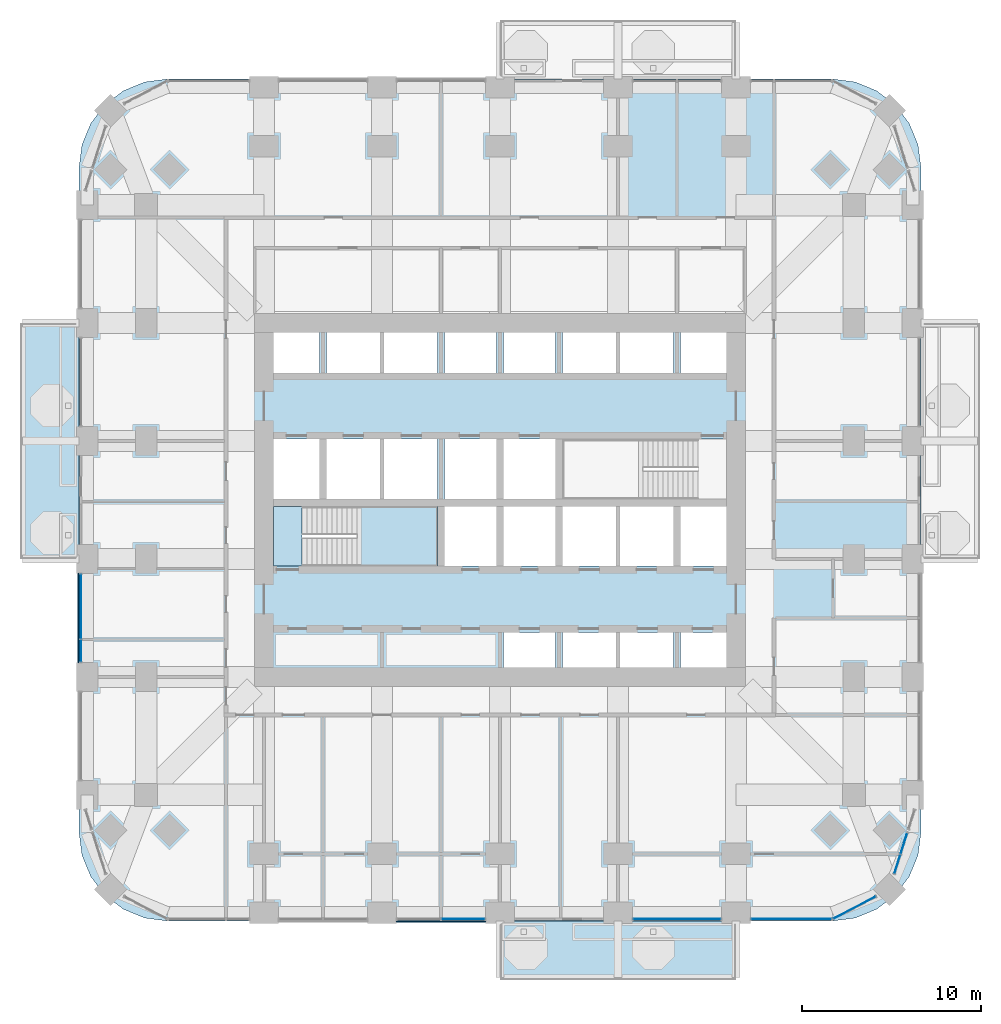
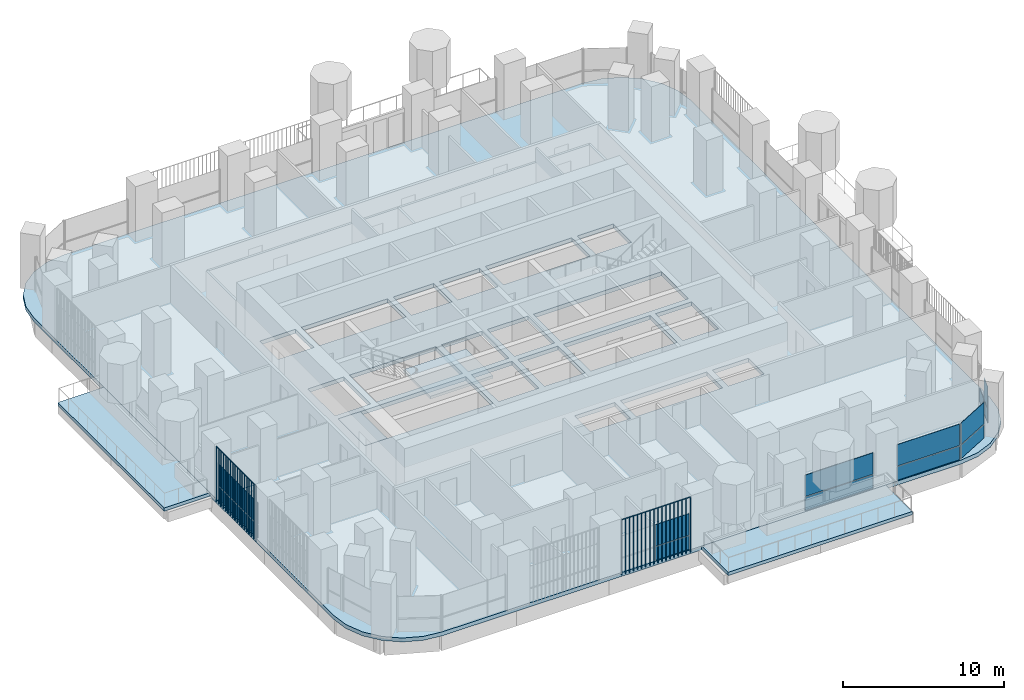
# One storey, part 10 of 22: 17 plates, 5 slabs, 7 elements without a shape of their own.
"""IFC4 building model written with IfcOpenShell, lengths in metres."""

import ifcopenshell
import ifcopenshell.guid

model = None  # the IFC model being written
_history = None  # IfcOwnerHistory: only IFC2X3 demands one
_inside = {}  # id of a spatial element -> (the spatial element, [elements in it])
_under = {}  # id of a project, library or spatial element -> (it, [spatial elements below it])
_declared = {}  # id of a project -> (the project, [libraries it declares])
_typed = {}  # id of a type object -> (the type object, [elements of that type])
_made_of = {}  # id of a material, layer set ... -> (it, [elements and type objects made of it])


def new_model(schema):
    """Start an empty IFC model of exactly this schema.

    Asked for "IFC4X3", IfcOpenShell would pick the latest addendum, in which some entities
    have other attributes; the version numbers below select the first issue.
    IFC2X3 requires an IfcOwnerHistory on every rooted entity: one is made here for all.
    """
    global model, _history
    if schema == "IFC4X3":
        model = ifcopenshell.file(schema_version=(4, 3, 0, 0))
    else:
        model = ifcopenshell.file(schema=schema)
    _inside.clear()
    _under.clear()
    _declared.clear()
    _typed.clear()
    _made_of.clear()
    _history = None
    if model.schema == "IFC2X3":
        org = make("IfcOrganization", Name="unknown")
        user = make(
            "IfcPersonAndOrganization",
            ThePerson=make("IfcPerson", FamilyName="unknown"),
            TheOrganization=org,
        )
        app = make(
            "IfcApplication",
            ApplicationDeveloper=org,
            Version="unknown",
            ApplicationFullName="unknown",
            ApplicationIdentifier="unknown",
        )
        _history = make(
            "IfcOwnerHistory",
            OwningUser=user,
            OwningApplication=app,
            ChangeAction="ADDED",
            CreationDate=0,
        )
    return model


def make(cls, **values):
    """One entity of the class cls with the attributes given. An attribute that is None is left unset."""
    return model.create_entity(
        cls, **{name: value for name, value in values.items() if value is not None}
    )


def rooted(cls, **values):
    """An entity with a GlobalId (a new one), such as an element, a storey or a relation."""
    return make(cls, GlobalId=ifcopenshell.guid.new(), OwnerHistory=_history, **values)


def si_unit(unit_type, name, prefix=None):
    """IfcSIUnit, for example si_unit("LENGTHUNIT", "METRE", prefix="MILLI")."""
    return make("IfcSIUnit", UnitType=unit_type, Prefix=prefix, Name=name)


def assignment(units):
    """IfcUnitAssignment: the units of a project."""
    return None if units is None else make("IfcUnitAssignment", Units=units)


def point(xyz):
    """IfcCartesianPoint."""
    return None if xyz is None else make("IfcCartesianPoint", Coordinates=xyz)


def direction(xyz):
    """IfcDirection."""
    return None if xyz is None else make("IfcDirection", DirectionRatios=xyz)


def frame(location, z_axis=None, x_axis=None):
    """IfcAxis2Placement3D, a coordinate frame: its origin and axes. An axis left out is left unset."""
    return make(
        "IfcAxis2Placement3D",
        Location=point(location),
        Axis=direction(z_axis),
        RefDirection=direction(x_axis),
    )


def frame_2d(location, x_axis=None):
    """IfcAxis2Placement2D, a coordinate frame in the plane: its origin and x axis."""
    return make(
        "IfcAxis2Placement2D", Location=point(location), RefDirection=direction(x_axis)
    )


def origin():
    """The frame at (0, 0, 0) with its axes left unset."""
    return frame((0.0, 0.0, 0.0))


def origin_2d():
    """The frame at (0, 0) in the plane with its x axis left unset."""
    return frame_2d((0.0, 0.0))


def place(relative_to, where):
    """IfcLocalPlacement: puts the frame where relative to a parent placement (None: the world)."""
    return make(
        "IfcLocalPlacement", PlacementRelTo=relative_to, RelativePlacement=where
    )


def context(
    kind, dimensions, precision=None, world=None, true_north=None, identifier=None
):
    """IfcGeometricRepresentationContext, for example the 3D "Model" context."""
    return make(
        "IfcGeometricRepresentationContext",
        ContextIdentifier=identifier,
        ContextType=kind,
        CoordinateSpaceDimension=dimensions,
        Precision=precision,
        WorldCoordinateSystem=world,
        TrueNorth=true_north,
    )


def subcontext(parent, identifier, kind, view, scale=None):
    """IfcGeometricRepresentationSubContext, for example "Body" below "Model"."""
    return make(
        "IfcGeometricRepresentationSubContext",
        ContextIdentifier=identifier,
        ContextType=kind,
        ParentContext=parent,
        TargetScale=scale,
        TargetView=view,
    )


def project(units=None, contexts=None):
    """IfcProject with its units and contexts."""
    return rooted(
        "IfcProject",
        Name="project",
        RepresentationContexts=contexts,
        UnitsInContext=assignment(units),
    )


def spatial(cls, under=None, at=None, **own):
    """A site, building, storey or space (cls), placed at a placement, below another one or the project."""
    s = rooted(cls, ObjectPlacement=at, **own)
    if under is not None:
        _under.setdefault(under.id(), (under, []))[1].append(s)
    return s


def polyline(points):
    """IfcPolyline through the points."""
    return make("IfcPolyline", Points=[point(p) for p in points])


def profile(cls, at=None, kind="AREA", **sizes):
    """A parametric profile (cls). Its sizes go by their IFC names, for example OverallWidth=200.0."""
    return make(cls, ProfileType=kind, Position=at, **sizes)


def rectangle(**sizes):
    """IfcRectangleProfileDef."""
    return profile("IfcRectangleProfileDef", **sizes)


def outline(outer, holes=None, kind="AREA"):
    """IfcArbitraryClosedProfileDef: a profile drawn as a closed curve; with holes, ...WithVoids."""
    if holes is None:
        return make("IfcArbitraryClosedProfileDef", ProfileType=kind, OuterCurve=outer)
    return make(
        "IfcArbitraryProfileDefWithVoids",
        ProfileType=kind,
        OuterCurve=outer,
        InnerCurves=holes,
    )


def extrude(swept, where, along, depth):
    """IfcExtrudedAreaSolid: the profile swept, set in the frame where, extruded along a direction by depth."""
    return make(
        "IfcExtrudedAreaSolid",
        SweptArea=swept,
        Position=where,
        ExtrudedDirection=direction(along),
        Depth=depth,
    )


def shape(context_of_items, identifier, shape_type, items):
    """IfcShapeRepresentation: the items that make up one representation, for example the "Body"."""
    return make(
        "IfcShapeRepresentation",
        ContextOfItems=context_of_items,
        RepresentationIdentifier=identifier,
        RepresentationType=shape_type,
        Items=items,
    )


def material(Name=None, Category=None):
    """IfcMaterial."""
    return make("IfcMaterial", Name=Name, Category=Category)


def layer(
    of_material, thickness, ventilated=None, Name=None, Category=None, Priority=None
):
    """IfcMaterialLayer: one layer of a wall or slab, of a material (None: an air gap)."""
    return make(
        "IfcMaterialLayer",
        Material=of_material,
        LayerThickness=thickness,
        IsVentilated=ventilated,
        Name=Name,
        Category=Category,
        Priority=Priority,
    )


def layer_set(layers, Name=None):
    """IfcMaterialLayerSet."""
    return make("IfcMaterialLayerSet", MaterialLayers=layers, LayerSetName=Name)


def made_of(thing, what):
    """Note that an element or type object is made of a material, layer set ...; save() writes the relation."""
    if what is not None:
        _made_of.setdefault(what.id(), (what, []))[1].append(thing)
    return thing


def type_object(cls, material=None, **own):
    """A type object (cls), such as IfcWallType, which elements share."""
    return made_of(rooted(cls, **own), material)


def element(
    cls,
    number,
    at=None,
    inside=None,
    cuts=None,
    type_object=None,
    material=None,
    context=None,
    identifier="Body",
    shape_type=None,
    held_by="IfcProductDefinitionShape",
    body=None,
    shapes=None,
    **own,
):
    """One element of the class cls, such as IfcWall. Its Tag is "e" and its number.

    at: its placement. inside: the storey or other place that contains it. cuts: it is an
    opening in that element (IfcRelVoidsElement). A single representation is given by context,
    identifier, shape_type and body (its items); several are given by shapes. held_by: the class
    of the entity that holds the representations. save() writes the other relations.
    """
    e = rooted(cls, Tag="e%d" % number, ObjectPlacement=at, **own)
    if body is not None:
        shapes = [shape(context, identifier, shape_type, body)]
    if shapes is not None:
        e.Representation = make(held_by, Representations=shapes)
    if inside is not None:
        _inside.setdefault(inside.id(), (inside, []))[1].append(e)
    if cuts is not None:
        rooted(
            "IfcRelVoidsElement", RelatingBuildingElement=cuts, RelatedOpeningElement=e
        )
    if type_object is not None:
        _typed.setdefault(type_object.id(), (type_object, []))[1].append(e)
    return made_of(e, material)


def aggregate(whole, parts):
    """IfcRelAggregates: a whole, such as a stair, and the parts it consists of."""
    return rooted("IfcRelAggregates", RelatingObject=whole, RelatedObjects=parts)


def save(model, path):
    """Write the relations noted so far, then the file.

    IfcRelAggregates (storeys below a building ...), IfcRelContainedInSpatialStructure (elements
    in a storey), IfcRelDefinesByType, IfcRelAssociatesMaterial and IfcRelDeclares: one each for
    every whole, place, type object, material and project.
    """
    for whole, parts in _under.values():
        aggregate(whole, parts)
    for where, things in _inside.values():
        rooted(
            "IfcRelContainedInSpatialStructure",
            RelatedElements=things,
            RelatingStructure=where,
        )
    for kind, things in _typed.values():
        rooted("IfcRelDefinesByType", RelatedObjects=things, RelatingType=kind)
    for what, things in _made_of.values():
        rooted("IfcRelAssociatesMaterial", RelatedObjects=things, RelatingMaterial=what)
    for by, libraries in _declared.values():
        rooted("IfcRelDeclares", RelatingContext=by, RelatedDefinitions=libraries)
    model.write(path)


model = new_model("IFC4")

# Units and contexts
model_context = context("Model", 3, precision=1e-05, world=origin(), true_north=direction((0.0, 1.0)))
body_context = subcontext(model_context, "Body", "Model", "MODEL_VIEW")
ifc_project = project(units=[si_unit("LENGTHUNIT", "METRE"), si_unit("AREAUNIT", "SQUARE_METRE"), si_unit("VOLUMEUNIT", "CUBIC_METRE"), si_unit("PLANEANGLEUNIT", "RADIAN"), si_unit("MASSUNIT", "GRAM", prefix="KILO")], contexts=[model_context])

# Site, building, storey
site_placement = place(None, origin())
site = spatial("IfcSite", under=ifc_project, at=site_placement, CompositionType="ELEMENT")
building_placement = place(site_placement, origin())
building = spatial("IfcBuilding", under=site, at=building_placement, Name="Cobogo Forest Laboratory Tower", CompositionType="ELEMENT")
storey_placement = place(building_placement, frame((0.0, 0.0, 94.800048828125)))
storey = spatial("IfcBuildingStorey", under=building, at=storey_placement, Name="L21", CompositionType="ELEMENT", Elevation=94.800048828125)

# Slabs
ifc_material_1 = material(Name="Concrete HA-40 (C40/50)", Category="concrete")
ifc_layer_1 = layer(ifc_material_1, 0.25)
ifc_layer_set_1 = layer_set([ifc_layer_1], Name="Balcony slab 250")
slab_type_1 = type_object("IfcSlabType", Name="Balcony slab 250", PredefinedType="FLOOR", material=ifc_layer_set_1)
slab_1_placement = place(storey_placement, frame((0.0, 0.0, -0.25)))
element("IfcSlab", 1, at=slab_1_placement, inside=storey, type_object=slab_type_1, Name="Balcony BAL-S1 L21", PredefinedType="FLOOR", context=body_context, shape_type="SweptSolid", body=[
    extrude(outline(polyline([(26.39990234375, -3.75), (39.60009765625, -3.75), (39.60009765625, -0.449951171875), (26.39990234375, -0.449951171875), (26.39990234375, -3.75)])), origin(), (0.0, 0.0, 1.0), 0.25),
])
slab_2_placement = place(storey_placement, frame((0.0, 0.0, -0.25)))
element("IfcSlab", 2, at=slab_2_placement, inside=storey, type_object=slab_type_1, Name="Balcony BAL-W1 L21", PredefinedType="FLOOR", context=body_context, shape_type="SweptSolid", body=[
    extrude(outline(polyline([(-0.449951171875, 19.800048828125), (2.85009765625, 19.800048828125), (2.85009765625, 33.0), (-0.449951171875, 33.0), (-0.449951171875, 19.800048828125)])), origin(), (0.0, 0.0, 1.0), 0.25),
])
ifc_layer_2 = layer(ifc_material_1, 0.300048828125)
ifc_layer_set_2 = layer_set([ifc_layer_2], Name="Floor slab 300")
slab_type_2 = type_object("IfcSlabType", Name="Floor slab 300", PredefinedType="FLOOR", material=ifc_layer_set_2)
slab_3_placement = place(storey_placement, frame((0.0, 0.0, -0.300048828125)))
element("IfcSlab", 3, at=slab_3_placement, inside=storey, type_object=slab_type_2, Name="L21 floor slab", PredefinedType="FLOOR", context=body_context, shape_type="SweptSolid", body=[
    extrude(outline(polyline([(45.0, -0.449951171875), (46.28125, -0.28125), (47.47509765625, 0.213134765625), (48.500244140625, 0.999755859375), (49.286865234375, 2.02490234375), (49.78125, 3.21875), (49.949951171875, 4.5), (49.949951171875, 41.699951171875), (49.78125, 42.981201171875), (49.286865234375, 44.175048828125), (48.500244140625, 45.2001953125), (47.47509765625, 45.98681640625), (46.28125, 46.4814453125), (45.0, 46.64990234375), (7.800048828125, 46.64990234375), (6.518798828125, 46.4814453125), (5.324951171875, 45.98681640625), (4.2998046875, 45.2001953125), (3.51318359375, 44.175048828125), (3.0185546875, 42.981201171875), (2.85009765625, 41.699951171875), (2.85009765625, 4.5), (3.0185546875, 3.21875), (3.51318359375, 2.02490234375), (4.2998046875, 0.999755859375), (5.324951171875, 0.213134765625), (6.518798828125, -0.28125), (7.800048828125, -0.449951171875), (45.0, -0.449951171875)]), holes=[polyline([(29.5, 13.72509765625), (26.60009765625, 13.72509765625), (26.60009765625, 15.699951171875), (29.5, 15.699951171875), (29.5, 13.72509765625)]), polyline([(36.10009765625, 15.699951171875), (36.10009765625, 13.72509765625), (29.89990234375, 13.72509765625), (29.89990234375, 15.699951171875), (36.10009765625, 15.699951171875)]), polyline([(36.5, 13.72509765625), (36.5, 15.699951171875), (39.074951171875, 15.699951171875), (39.074951171875, 13.72509765625), (36.5, 13.72509765625)]), polyline([(13.72509765625, 19.39990234375), (13.72509765625, 22.75), (22.89990234375, 22.75), (22.89990234375, 19.39990234375), (13.72509765625, 19.39990234375)]), polyline([(23.300048828125, 19.39990234375), (23.300048828125, 22.75), (26.199951171875, 22.75), (26.199951171875, 19.39990234375), (23.300048828125, 19.39990234375)]), polyline([(29.5, 19.39990234375), (26.60009765625, 19.39990234375), (26.60009765625, 22.75), (29.5, 22.75), (29.5, 19.39990234375)]), polyline([(36.10009765625, 22.75), (36.10009765625, 19.39990234375), (29.89990234375, 19.39990234375), (29.89990234375, 22.75), (36.10009765625, 22.75)]), polyline([(39.074951171875, 19.39990234375), (36.5, 19.39990234375), (36.5, 22.75), (39.074951171875, 22.75), (39.074951171875, 19.39990234375)]), polyline([(16.300048828125, 23.14990234375), (13.72509765625, 23.14990234375), (13.72509765625, 26.5), (16.300048828125, 26.5), (16.300048828125, 23.14990234375)]), polyline([(22.89990234375, 26.5), (22.89990234375, 23.14990234375), (16.699951171875, 23.14990234375), (16.699951171875, 26.5), (22.89990234375, 26.5)]), polyline([(26.199951171875, 23.14990234375), (23.300048828125, 23.14990234375), (23.300048828125, 26.5), (26.199951171875, 26.5), (26.199951171875, 23.14990234375)]), polyline([(26.60009765625, 23.14990234375), (26.60009765625, 26.5), (29.5, 26.5), (29.5, 23.14990234375), (26.60009765625, 23.14990234375)]), polyline([(29.89990234375, 23.14990234375), (29.89990234375, 26.5), (39.074951171875, 26.5), (39.074951171875, 23.14990234375), (29.89990234375, 23.14990234375)]), polyline([(13.72509765625, 30.199951171875), (13.72509765625, 32.47509765625), (16.300048828125, 32.47509765625), (16.300048828125, 30.199951171875), (13.72509765625, 30.199951171875)]), polyline([(22.89990234375, 32.47509765625), (22.89990234375, 30.199951171875), (16.699951171875, 30.199951171875), (16.699951171875, 32.47509765625), (22.89990234375, 32.47509765625)]), polyline([(23.300048828125, 30.199951171875), (23.300048828125, 32.47509765625), (26.199951171875, 32.47509765625), (26.199951171875, 30.199951171875), (23.300048828125, 30.199951171875)]), polyline([(26.60009765625, 30.199951171875), (26.60009765625, 32.47509765625), (29.5, 32.47509765625), (29.5, 30.199951171875), (26.60009765625, 30.199951171875)]), polyline([(36.10009765625, 32.47509765625), (36.10009765625, 30.199951171875), (29.89990234375, 30.199951171875), (29.89990234375, 32.47509765625), (36.10009765625, 32.47509765625)]), polyline([(36.5, 30.199951171875), (36.5, 32.47509765625), (39.074951171875, 32.47509765625), (39.074951171875, 30.199951171875), (36.5, 30.199951171875)])]), origin(), (0.0, 0.0, 1.0), 0.300048828125),
])

# Curtain wall, plates
ifc_material_2 = material(Name="Aluminium curtain wall", Category="aluminium")
curtain_wall_type = type_object("IfcCurtainWallType", Name="CW-1 unitised curtain wall, clear glazing, laboratory floors zones A and B", PredefinedType="USERDEFINED", material=ifc_material_2)
curtain_wall_1_placement = place(storey_placement, origin())
curtain_wall_1 = element("IfcCurtainWall", 4, at=curtain_wall_1_placement, inside=storey, type_object=curtain_wall_type, Name="Curtain wall 03 L21", ObjectType="UNITISED CURTAIN WALL", PredefinedType="USERDEFINED")
ifc_material_3 = material(Name="Clear insulated glass", Category="glass")
ifc_layer_3 = layer(ifc_material_3, 0.028076171875)
ifc_layer_set_3 = layer_set([ifc_layer_3], Name="GP-1 clear insulated glass unit 28")
plate_type_1 = type_object("IfcPlateType", Name="GP-1 clear insulated glass unit 28", PredefinedType="CURTAIN_PANEL", material=ifc_layer_set_3)
plate_1_placement = place(storey_placement, frame((24.3349609375, -0.35009765625, 0.0), z_axis=(0.0, 0.0, 1.0), x_axis=(1.0, 0.0, 0.0)))
plate_1 = element("IfcPlate", 5, at=plate_1_placement, type_object=plate_type_1, Name="CW-1 panel 2.1", PredefinedType="CURTAIN_PANEL", context=body_context, shape_type="SweptSolid", body=[
    extrude(rectangle(XDim=2.409912109375, YDim=0.028076171875, at=origin_2d()), origin(), (0.0, 0.0, 1.0), 1.02001953125),
])
plate_2_placement = place(storey_placement, frame((24.3349609375, -0.35009765625, 1.079833984375), z_axis=(0.0, 0.0, 1.0), x_axis=(1.0, 0.0, 0.0)))
plate_2 = element("IfcPlate", 6, at=plate_2_placement, type_object=plate_type_1, Name="CW-1 panel 2.2", PredefinedType="CURTAIN_PANEL", context=body_context, shape_type="SweptSolid", body=[
    extrude(rectangle(XDim=2.409912109375, YDim=0.028076171875, at=origin_2d()), origin(), (0.0, 0.0, 1.0), 1.6201171875),
])
aggregate(curtain_wall_1, [plate_1, plate_2])

curtain_wall_2_placement = place(storey_placement, origin())
curtain_wall_2 = element("IfcCurtainWall", 7, at=curtain_wall_2_placement, inside=storey, type_object=curtain_wall_type, Name="Curtain wall 05 L21", ObjectType="UNITISED CURTAIN WALL", PredefinedType="USERDEFINED")
plate_3_placement = place(storey_placement, frame((36.300048828125, -0.35009765625, 0.0), z_axis=(0.0, 0.0, 1.0), x_axis=(1.0, 0.0, 0.0)))
plate_3 = element("IfcPlate", 8, at=plate_3_placement, type_object=plate_type_1, Name="CW-1 panel 1.1", PredefinedType="CURTAIN_PANEL", context=body_context, shape_type="SweptSolid", body=[
    extrude(rectangle(XDim=4.8798828125, YDim=0.028076171875, at=origin_2d()), origin(), (0.0, 0.0, 1.0), 1.02001953125),
])
plate_4_placement = place(storey_placement, frame((36.300048828125, -0.35009765625, 1.079833984375), z_axis=(0.0, 0.0, 1.0), x_axis=(1.0, 0.0, 0.0)))
plate_4 = element("IfcPlate", 9, at=plate_4_placement, type_object=plate_type_1, Name="CW-1 panel 1.2", PredefinedType="CURTAIN_PANEL", context=body_context, shape_type="SweptSolid", body=[
    extrude(rectangle(XDim=4.8798828125, YDim=0.028076171875, at=origin_2d()), origin(), (0.0, 0.0, 1.0), 1.6201171875),
])
aggregate(curtain_wall_2, [plate_3, plate_4])

curtain_wall_3_placement = place(storey_placement, origin())
curtain_wall_3 = element("IfcCurtainWall", 10, at=curtain_wall_3_placement, inside=storey, type_object=curtain_wall_type, Name="Curtain wall 06 L21", ObjectType="UNITISED CURTAIN WALL", PredefinedType="USERDEFINED")
plate_5_placement = place(storey_placement, frame((42.699951171875, -0.35009765625, 0.0), z_axis=(0.0, 0.0, 1.0), x_axis=(1.0, 0.0, 0.0)))
plate_5 = element("IfcPlate", 11, at=plate_5_placement, type_object=plate_type_1, Name="CW-1 panel 1.1", PredefinedType="CURTAIN_PANEL", context=body_context, shape_type="SweptSolid", body=[
    extrude(rectangle(XDim=4.47998046875, YDim=0.028076171875, at=origin_2d()), origin(), (0.0, 0.0, 1.0), 1.02001953125),
])
plate_6_placement = place(storey_placement, frame((42.699951171875, -0.35009765625, 1.079833984375), z_axis=(0.0, 0.0, 1.0), x_axis=(1.0, 0.0, 0.0)))
plate_6 = element("IfcPlate", 12, at=plate_6_placement, type_object=plate_type_1, Name="CW-1 panel 1.2", PredefinedType="CURTAIN_PANEL", context=body_context, shape_type="SweptSolid", body=[
    extrude(rectangle(XDim=4.47998046875, YDim=0.028076171875, at=origin_2d()), origin(), (0.0, 0.0, 1.0), 1.6201171875),
])
aggregate(curtain_wall_3, [plate_5, plate_6])

curtain_wall_4_placement = place(storey_placement, origin())
curtain_wall_4 = element("IfcCurtainWall", 13, at=curtain_wall_4_placement, inside=storey, type_object=curtain_wall_type, Name="Curtain wall 07 L21", ObjectType="UNITISED CURTAIN WALL", PredefinedType="USERDEFINED")
plate_7_placement = place(storey_placement, frame((46.229248046875, 0.29443359375, 0.0), z_axis=(0.0, 0.0, 1.0), x_axis=(0.885686547075, 0.464283685186, 0.0)))
plate_7 = element("IfcPlate", 14, at=plate_7_placement, type_object=plate_type_1, Name="CW-1 panel 1.1", PredefinedType="CURTAIN_PANEL", context=body_context, shape_type="SweptSolid", body=[
    extrude(rectangle(XDim=2.655517578125, YDim=0.028076171875, at=origin_2d()), origin(), (0.0, 0.0, 1.0), 1.02001953125),
])
plate_8_placement = place(storey_placement, frame((46.229248046875, 0.29443359375, 1.079833984375), z_axis=(0.0, 0.0, 1.0), x_axis=(0.885686547075, 0.464283685186, 0.0)))
plate_8 = element("IfcPlate", 15, at=plate_8_placement, type_object=plate_type_1, Name="CW-1 panel 1.2", PredefinedType="CURTAIN_PANEL", context=body_context, shape_type="SweptSolid", body=[
    extrude(rectangle(XDim=2.655517578125, YDim=0.028076171875, at=origin_2d()), origin(), (0.0, 0.0, 1.0), 1.6201171875),
])
aggregate(curtain_wall_4, [plate_7, plate_8])

curtain_wall_5_placement = place(storey_placement, origin())
curtain_wall_5 = element("IfcCurtainWall", 16, at=curtain_wall_5_placement, inside=storey, type_object=curtain_wall_type, Name="Curtain wall 08 L21", ObjectType="UNITISED CURTAIN WALL", PredefinedType="USERDEFINED")
plate_9_placement = place(storey_placement, frame((48.6279296875, 2.73046875, 0.0), z_axis=(0.0, 0.0, 1.0), x_axis=(0.301135291996, 0.953581425949, 0.0)))
plate_9 = element("IfcPlate", 17, at=plate_9_placement, type_object=plate_type_1, Name="CW-1 panel 1.1", PredefinedType="CURTAIN_PANEL", context=body_context, shape_type="SweptSolid", body=[
    extrude(rectangle(XDim=1.083984375, YDim=0.028076171875, at=origin_2d()), origin(), (0.0, 0.0, 1.0), 1.02001953125),
])
plate_10_placement = place(storey_placement, frame((48.6279296875, 2.73046875, 1.079833984375), z_axis=(0.0, 0.0, 1.0), x_axis=(0.301135291996, 0.953581425949, 0.0)))
plate_10 = element("IfcPlate", 18, at=plate_10_placement, type_object=plate_type_1, Name="CW-1 panel 1.2", PredefinedType="CURTAIN_PANEL", context=body_context, shape_type="SweptSolid", body=[
    extrude(rectangle(XDim=1.083984375, YDim=0.028076171875, at=origin_2d()), origin(), (0.0, 0.0, 1.0), 1.6201171875),
])
plate_11_placement = place(storey_placement, frame((48.99365234375, 3.88818359375, 0.0), z_axis=(0.0, 0.0, 1.0), x_axis=(0.301135291996, 0.953581425949, 0.0)))
plate_11 = element("IfcPlate", 19, at=plate_11_placement, type_object=plate_type_1, Name="CW-1 panel 2.1", PredefinedType="CURTAIN_PANEL", context=body_context, shape_type="SweptSolid", body=[
    extrude(rectangle(XDim=1.223876953125, YDim=0.028076171875, at=origin_2d()), origin(), (0.0, 0.0, 1.0), 1.02001953125),
])
aggregate(curtain_wall_5, [plate_9, plate_10, plate_11])

curtain_wall_6_placement = place(storey_placement, origin())
curtain_wall_6 = element("IfcCurtainWall", 20, at=curtain_wall_6_placement, inside=storey, type_object=curtain_wall_type, Name="Curtain wall 30 L21", ObjectType="UNITISED CURTAIN WALL", PredefinedType="USERDEFINED")
plate_12_placement = place(storey_placement, frame((2.949951171875, 17.135009765625, 0.0), z_axis=(0.0, 0.0, 1.0), x_axis=(0.0, -1.0, 0.0)))
plate_12 = element("IfcPlate", 21, at=plate_12_placement, type_object=plate_type_1, Name="CW-1 panel 1.1", PredefinedType="CURTAIN_PANEL", context=body_context, shape_type="SweptSolid", body=[
    extrude(rectangle(XDim=3.610107421875, YDim=0.028076171875, at=origin_2d()), origin(), (0.0, 0.0, 1.0), 1.02001953125),
])
plate_13_placement = place(storey_placement, frame((2.949951171875, 17.135009765625, 1.079833984375), z_axis=(0.0, 0.0, 1.0), x_axis=(0.0, -1.0, 0.0)))
plate_13 = element("IfcPlate", 22, at=plate_13_placement, type_object=plate_type_1, Name="CW-1 panel 1.2", PredefinedType="CURTAIN_PANEL", context=body_context, shape_type="SweptSolid", body=[
    extrude(rectangle(XDim=3.610107421875, YDim=0.028076171875, at=origin_2d()), origin(), (0.0, 0.0, 1.0), 1.6201171875),
])
plate_14_placement = place(storey_placement, frame((2.949951171875, 14.6650390625, 0.0), z_axis=(0.0, 0.0, 1.0), x_axis=(0.0, -1.0, 0.0)))
plate_14 = element("IfcPlate", 23, at=plate_14_placement, type_object=plate_type_1, Name="CW-1 panel 2.1", PredefinedType="CURTAIN_PANEL", context=body_context, shape_type="SweptSolid", body=[
    extrude(rectangle(XDim=1.2099609375, YDim=0.028076171875, at=origin_2d()), origin(), (0.0, 0.0, 1.0), 1.02001953125),
])
plate_15_placement = place(storey_placement, frame((2.949951171875, 14.6650390625, 1.079833984375), z_axis=(0.0, 0.0, 1.0), x_axis=(0.0, -1.0, 0.0)))
plate_15 = element("IfcPlate", 24, at=plate_15_placement, type_object=plate_type_1, Name="CW-1 panel 2.2", PredefinedType="CURTAIN_PANEL", context=body_context, shape_type="SweptSolid", body=[
    extrude(rectangle(XDim=1.2099609375, YDim=0.028076171875, at=origin_2d()), origin(), (0.0, 0.0, 1.0), 1.6201171875),
])
aggregate(curtain_wall_6, [plate_12, plate_13, plate_14, plate_15])

# Stair, slabs
ifc_material_4 = material(Name="Precast concrete HA-40 (C40/50)", Category="concrete")
stair_type = type_object("IfcStairType", Name="ST24 exit stair 24 risers", PredefinedType="HALF_TURN_STAIR", material=ifc_material_4)
stair_placement = place(storey_placement, origin())
stair = element("IfcStair", 25, at=stair_placement, inside=storey, type_object=stair_type, Name="Stair 1 L21 to L22", PredefinedType="HALF_TURN_STAIR")
ifc_layer_4 = layer(ifc_material_1, 0.199951171875)
ifc_layer_set_4 = layer_set([ifc_layer_4], Name="SL stair landing 200")
slab_type_3 = type_object("IfcSlabType", Name="SL stair landing 200", PredefinedType="LANDING", material=ifc_layer_set_4)
slab_4_placement = place(storey_placement, frame((0.0, 0.0, -0.199951171875)))
slab_4 = element("IfcSlab", 26, at=slab_4_placement, type_object=slab_type_3, Name="ST1 landing 1", PredefinedType="LANDING", context=body_context, shape_type="SweptSolid", body=[
    extrude(outline(polyline([(13.72509765625, 19.39990234375), (15.326904296875, 19.39990234375), (15.326904296875, 22.75), (13.72509765625, 22.75), (13.72509765625, 19.39990234375)])), origin(), (0.0, 0.0, 1.0), 0.199951171875),
])
slab_5_placement = place(storey_placement, frame((0.0, 0.0, 1.89990234375)))
slab_5 = element("IfcSlab", 27, at=slab_5_placement, type_object=slab_type_3, Name="ST1 landing 2", PredefinedType="LANDING", context=body_context, shape_type="SweptSolid", body=[
    extrude(outline(polyline([(18.403076171875, 19.39990234375), (22.89990234375, 19.39990234375), (22.89990234375, 22.75), (18.403076171875, 22.75), (18.403076171875, 19.39990234375)])), origin(), (0.0, 0.0, 1.0), 0.199951171875),
])
aggregate(stair, [slab_4, slab_5])

# Plates
ifc_material_5 = material(Name="Terracotta", Category="masonry")
plate_type_2 = type_object("IfcPlateType", Name="TB1 terracotta baguette screen", PredefinedType="USERDEFINED", material=ifc_material_5)
plate_16_placement = place(storey_placement, frame((20.63134765625, -0.477783203125, -0.150146484375)))
element("IfcPlate", 28, at=plate_16_placement, inside=storey, type_object=plate_type_2, Name="Baguette screen S2 L21", ObjectType="BAGUETTE SCREEN", PredefinedType="USERDEFINED", context=body_context, shape_type="SweptSolid", body=[
    extrude(outline(polyline([(0.02880859375, 0.011962890625), (0.011962890625, 0.02880859375), (-0.011962890625, 0.02880859375), (-0.02880859375, 0.011962890625), (-0.02880859375, -0.011962890625), (-0.011962890625, -0.02880859375), (0.011962890625, -0.02880859375), (0.02880859375, -0.011962890625), (0.02880859375, 0.011962890625)])), frame((0.0, 0.0, 4.168701171875), z_axis=(1.0, 0.0, 0.0), x_axis=(0.0, 1.0, 0.0)), (0.0, 0.0, 1.0), 4.9375),
    extrude(outline(polyline([(0.02880859375, 0.011962890625), (0.011962890625, 0.02880859375), (-0.011962890625, 0.02880859375), (-0.02880859375, 0.011962890625), (-0.02880859375, -0.011962890625), (-0.011962890625, -0.02880859375), (0.011962890625, -0.02880859375), (0.02880859375, -0.011962890625), (0.02880859375, 0.011962890625)])), origin(), (0.0, 0.0, 1.0), 4.137451171875),
    extrude(outline(polyline([(0.02880859375, 0.011962890625), (0.011962890625, 0.02880859375), (-0.011962890625, 0.02880859375), (-0.02880859375, 0.011962890625), (-0.02880859375, -0.011962890625), (-0.011962890625, -0.02880859375), (0.011962890625, -0.02880859375), (0.02880859375, -0.011962890625), (0.02880859375, 0.011962890625)])), frame((0.29052734375, 0.0, 0.0)), (0.0, 0.0, 1.0), 4.137451171875),
    extrude(outline(polyline([(0.02880859375, 0.011962890625), (0.011962890625, 0.02880859375), (-0.011962890625, 0.02880859375), (-0.02880859375, 0.011962890625), (-0.02880859375, -0.011962890625), (-0.011962890625, -0.02880859375), (0.011962890625, -0.02880859375), (0.02880859375, -0.011962890625), (0.02880859375, 0.011962890625)])), frame((0.580810546875, 0.0, 0.0)), (0.0, 0.0, 1.0), 4.137451171875),
    extrude(outline(polyline([(0.02880859375, 0.011962890625), (0.011962890625, 0.02880859375), (-0.011962890625, 0.02880859375), (-0.02880859375, 0.011962890625), (-0.02880859375, -0.011962890625), (-0.011962890625, -0.02880859375), (0.011962890625, -0.02880859375), (0.02880859375, -0.011962890625), (0.02880859375, 0.011962890625)])), frame((0.871337890625, 0.0, 0.0)), (0.0, 0.0, 1.0), 4.137451171875),
    extrude(outline(polyline([(0.02880859375, 0.011962890625), (0.011962890625, 0.02880859375), (-0.011962890625, 0.02880859375), (-0.02880859375, 0.011962890625), (-0.02880859375, -0.011962890625), (-0.011962890625, -0.02880859375), (0.011962890625, -0.02880859375), (0.02880859375, -0.011962890625), (0.02880859375, 0.011962890625)])), frame((1.161865234375, 0.0, 0.0)), (0.0, 0.0, 1.0), 4.137451171875),
    extrude(outline(polyline([(0.02880859375, 0.011962890625), (0.011962890625, 0.02880859375), (-0.011962890625, 0.02880859375), (-0.02880859375, 0.011962890625), (-0.02880859375, -0.011962890625), (-0.011962890625, -0.02880859375), (0.011962890625, -0.02880859375), (0.02880859375, -0.011962890625), (0.02880859375, 0.011962890625)])), frame((1.4521484375, 0.0, 0.0)), (0.0, 0.0, 1.0), 4.137451171875),
    extrude(outline(polyline([(0.02880859375, 0.011962890625), (0.011962890625, 0.02880859375), (-0.011962890625, 0.02880859375), (-0.02880859375, 0.011962890625), (-0.02880859375, -0.011962890625), (-0.011962890625, -0.02880859375), (0.011962890625, -0.02880859375), (0.02880859375, -0.011962890625), (0.02880859375, 0.011962890625)])), frame((1.74267578125, 0.0, 0.0)), (0.0, 0.0, 1.0), 4.137451171875),
    extrude(outline(polyline([(0.02880859375, 0.011962890625), (0.011962890625, 0.02880859375), (-0.011962890625, 0.02880859375), (-0.02880859375, 0.011962890625), (-0.02880859375, -0.011962890625), (-0.011962890625, -0.02880859375), (0.011962890625, -0.02880859375), (0.02880859375, -0.011962890625), (0.02880859375, 0.011962890625)])), frame((2.033203125, 0.0, 0.0)), (0.0, 0.0, 1.0), 4.137451171875),
    extrude(outline(polyline([(0.02880859375, 0.011962890625), (0.011962890625, 0.02880859375), (-0.011962890625, 0.02880859375), (-0.02880859375, 0.011962890625), (-0.02880859375, -0.011962890625), (-0.011962890625, -0.02880859375), (0.011962890625, -0.02880859375), (0.02880859375, -0.011962890625), (0.02880859375, 0.011962890625)])), frame((2.323486328125, 0.0, 0.0)), (0.0, 0.0, 1.0), 4.137451171875),
    extrude(outline(polyline([(0.02880859375, 0.011962890625), (0.011962890625, 0.02880859375), (-0.011962890625, 0.02880859375), (-0.02880859375, 0.011962890625), (-0.02880859375, -0.011962890625), (-0.011962890625, -0.02880859375), (0.011962890625, -0.02880859375), (0.02880859375, -0.011962890625), (0.02880859375, 0.011962890625)])), frame((2.614013671875, 0.0, 0.0)), (0.0, 0.0, 1.0), 4.137451171875),
    extrude(outline(polyline([(0.02880859375, 0.011962890625), (0.011962890625, 0.02880859375), (-0.011962890625, 0.02880859375), (-0.02880859375, 0.011962890625), (-0.02880859375, -0.011962890625), (-0.011962890625, -0.02880859375), (0.011962890625, -0.02880859375), (0.02880859375, -0.011962890625), (0.02880859375, 0.011962890625)])), frame((2.904296875, 0.0, 0.0)), (0.0, 0.0, 1.0), 4.137451171875),
    extrude(outline(polyline([(0.02880859375, 0.011962890625), (0.011962890625, 0.02880859375), (-0.011962890625, 0.02880859375), (-0.02880859375, 0.011962890625), (-0.02880859375, -0.011962890625), (-0.011962890625, -0.02880859375), (0.011962890625, -0.02880859375), (0.02880859375, -0.011962890625), (0.02880859375, 0.011962890625)])), frame((3.19482421875, 0.0, 0.0)), (0.0, 0.0, 1.0), 4.137451171875),
    extrude(outline(polyline([(0.02880859375, 0.011962890625), (0.011962890625, 0.02880859375), (-0.011962890625, 0.02880859375), (-0.02880859375, 0.011962890625), (-0.02880859375, -0.011962890625), (-0.011962890625, -0.02880859375), (0.011962890625, -0.02880859375), (0.02880859375, -0.011962890625), (0.02880859375, 0.011962890625)])), frame((3.4853515625, 0.0, 0.0)), (0.0, 0.0, 1.0), 4.137451171875),
    extrude(outline(polyline([(0.02880859375, 0.011962890625), (0.011962890625, 0.02880859375), (-0.011962890625, 0.02880859375), (-0.02880859375, 0.011962890625), (-0.02880859375, -0.011962890625), (-0.011962890625, -0.02880859375), (0.011962890625, -0.02880859375), (0.02880859375, -0.011962890625), (0.02880859375, 0.011962890625)])), frame((3.775634765625, 0.0, 0.0)), (0.0, 0.0, 1.0), 4.137451171875),
    extrude(outline(polyline([(0.02880859375, 0.011962890625), (0.011962890625, 0.02880859375), (-0.011962890625, 0.02880859375), (-0.02880859375, 0.011962890625), (-0.02880859375, -0.011962890625), (-0.011962890625, -0.02880859375), (0.011962890625, -0.02880859375), (0.02880859375, -0.011962890625), (0.02880859375, 0.011962890625)])), frame((4.066162109375, 0.0, 0.0)), (0.0, 0.0, 1.0), 4.137451171875),
    extrude(outline(polyline([(0.02880859375, 0.011962890625), (0.011962890625, 0.02880859375), (-0.011962890625, 0.02880859375), (-0.02880859375, 0.011962890625), (-0.02880859375, -0.011962890625), (-0.011962890625, -0.02880859375), (0.011962890625, -0.02880859375), (0.02880859375, -0.011962890625), (0.02880859375, 0.011962890625)])), frame((4.356689453125, 0.0, 0.0)), (0.0, 0.0, 1.0), 4.137451171875),
    extrude(outline(polyline([(0.02880859375, 0.011962890625), (0.011962890625, 0.02880859375), (-0.011962890625, 0.02880859375), (-0.02880859375, 0.011962890625), (-0.02880859375, -0.011962890625), (-0.011962890625, -0.02880859375), (0.011962890625, -0.02880859375), (0.02880859375, -0.011962890625), (0.02880859375, 0.011962890625)])), frame((4.64697265625, 0.0, 0.0)), (0.0, 0.0, 1.0), 4.137451171875),
    extrude(outline(polyline([(0.02880859375, 0.011962890625), (0.011962890625, 0.02880859375), (-0.011962890625, 0.02880859375), (-0.02880859375, 0.011962890625), (-0.02880859375, -0.011962890625), (-0.011962890625, -0.02880859375), (0.011962890625, -0.02880859375), (0.02880859375, -0.011962890625), (0.02880859375, 0.011962890625)])), frame((4.9375, 0.0, 0.0)), (0.0, 0.0, 1.0), 4.137451171875),
])
plate_17_placement = place(storey_placement, frame((2.822021484375, 14.03125, -0.150146484375)))
element("IfcPlate", 29, at=plate_17_placement, inside=storey, type_object=plate_type_2, Name="Baguette screen W2 L21", ObjectType="BAGUETTE SCREEN", PredefinedType="USERDEFINED", context=body_context, shape_type="SweptSolid", body=[
    extrude(outline(polyline([(0.02880859375, 0.011962890625), (0.011962890625, 0.02880859375), (-0.011962890625, 0.02880859375), (-0.02880859375, 0.011962890625), (-0.02880859375, -0.011962890625), (-0.011962890625, -0.02880859375), (0.011962890625, -0.02880859375), (0.02880859375, -0.011962890625), (0.02880859375, 0.011962890625)])), frame((0.0, 0.0, 4.168701171875), z_axis=(0.0, 1.0, 0.0), x_axis=(-1.0, 0.0, 0.0)), (0.0, 0.0, 1.0), 4.9375),
    extrude(outline(polyline([(0.02880859375, 0.011962890625), (0.011962890625, 0.02880859375), (-0.011962890625, 0.02880859375), (-0.02880859375, 0.011962890625), (-0.02880859375, -0.011962890625), (-0.011962890625, -0.02880859375), (0.011962890625, -0.02880859375), (0.02880859375, -0.011962890625), (0.02880859375, 0.011962890625)])), origin(), (0.0, 0.0, 1.0), 4.137451171875),
    extrude(outline(polyline([(0.02880859375, 0.011962890625), (0.011962890625, 0.02880859375), (-0.011962890625, 0.02880859375), (-0.02880859375, 0.011962890625), (-0.02880859375, -0.011962890625), (-0.011962890625, -0.02880859375), (0.011962890625, -0.02880859375), (0.02880859375, -0.011962890625), (0.02880859375, 0.011962890625)])), frame((0.0, 0.29052734375, 0.0)), (0.0, 0.0, 1.0), 4.137451171875),
    extrude(outline(polyline([(0.02880859375, 0.011962890625), (0.011962890625, 0.02880859375), (-0.011962890625, 0.02880859375), (-0.02880859375, 0.011962890625), (-0.02880859375, -0.011962890625), (-0.011962890625, -0.02880859375), (0.011962890625, -0.02880859375), (0.02880859375, -0.011962890625), (0.02880859375, 0.011962890625)])), frame((0.0, 0.580810546875, 0.0)), (0.0, 0.0, 1.0), 4.137451171875),
    extrude(outline(polyline([(0.02880859375, 0.011962890625), (0.011962890625, 0.02880859375), (-0.011962890625, 0.02880859375), (-0.02880859375, 0.011962890625), (-0.02880859375, -0.011962890625), (-0.011962890625, -0.02880859375), (0.011962890625, -0.02880859375), (0.02880859375, -0.011962890625), (0.02880859375, 0.011962890625)])), frame((0.0, 0.871337890625, 0.0)), (0.0, 0.0, 1.0), 4.137451171875),
    extrude(outline(polyline([(0.02880859375, 0.011962890625), (0.011962890625, 0.02880859375), (-0.011962890625, 0.02880859375), (-0.02880859375, 0.011962890625), (-0.02880859375, -0.011962890625), (-0.011962890625, -0.02880859375), (0.011962890625, -0.02880859375), (0.02880859375, -0.011962890625), (0.02880859375, 0.011962890625)])), frame((0.0, 1.161865234375, 0.0)), (0.0, 0.0, 1.0), 4.137451171875),
    extrude(outline(polyline([(0.02880859375, 0.011962890625), (0.011962890625, 0.02880859375), (-0.011962890625, 0.02880859375), (-0.02880859375, 0.011962890625), (-0.02880859375, -0.011962890625), (-0.011962890625, -0.02880859375), (0.011962890625, -0.02880859375), (0.02880859375, -0.011962890625), (0.02880859375, 0.011962890625)])), frame((0.0, 1.4521484375, 0.0)), (0.0, 0.0, 1.0), 4.137451171875),
    extrude(outline(polyline([(0.02880859375, 0.011962890625), (0.011962890625, 0.02880859375), (-0.011962890625, 0.02880859375), (-0.02880859375, 0.011962890625), (-0.02880859375, -0.011962890625), (-0.011962890625, -0.02880859375), (0.011962890625, -0.02880859375), (0.02880859375, -0.011962890625), (0.02880859375, 0.011962890625)])), frame((0.0, 1.74267578125, 0.0)), (0.0, 0.0, 1.0), 4.137451171875),
    extrude(outline(polyline([(0.02880859375, 0.011962890625), (0.011962890625, 0.02880859375), (-0.011962890625, 0.02880859375), (-0.02880859375, 0.011962890625), (-0.02880859375, -0.011962890625), (-0.011962890625, -0.02880859375), (0.011962890625, -0.02880859375), (0.02880859375, -0.011962890625), (0.02880859375, 0.011962890625)])), frame((0.0, 2.033203125, 0.0)), (0.0, 0.0, 1.0), 4.137451171875),
    extrude(outline(polyline([(0.02880859375, 0.011962890625), (0.011962890625, 0.02880859375), (-0.011962890625, 0.02880859375), (-0.02880859375, 0.011962890625), (-0.02880859375, -0.011962890625), (-0.011962890625, -0.02880859375), (0.011962890625, -0.02880859375), (0.02880859375, -0.011962890625), (0.02880859375, 0.011962890625)])), frame((0.0, 2.323486328125, 0.0)), (0.0, 0.0, 1.0), 4.137451171875),
    extrude(outline(polyline([(0.02880859375, 0.011962890625), (0.011962890625, 0.02880859375), (-0.011962890625, 0.02880859375), (-0.02880859375, 0.011962890625), (-0.02880859375, -0.011962890625), (-0.011962890625, -0.02880859375), (0.011962890625, -0.02880859375), (0.02880859375, -0.011962890625), (0.02880859375, 0.011962890625)])), frame((0.0, 2.614013671875, 0.0)), (0.0, 0.0, 1.0), 4.137451171875),
    extrude(outline(polyline([(0.02880859375, 0.011962890625), (0.011962890625, 0.02880859375), (-0.011962890625, 0.02880859375), (-0.02880859375, 0.011962890625), (-0.02880859375, -0.011962890625), (-0.011962890625, -0.02880859375), (0.011962890625, -0.02880859375), (0.02880859375, -0.011962890625), (0.02880859375, 0.011962890625)])), frame((0.0, 2.904296875, 0.0)), (0.0, 0.0, 1.0), 4.137451171875),
    extrude(outline(polyline([(0.02880859375, 0.011962890625), (0.011962890625, 0.02880859375), (-0.011962890625, 0.02880859375), (-0.02880859375, 0.011962890625), (-0.02880859375, -0.011962890625), (-0.011962890625, -0.02880859375), (0.011962890625, -0.02880859375), (0.02880859375, -0.011962890625), (0.02880859375, 0.011962890625)])), frame((0.0, 3.19482421875, 0.0)), (0.0, 0.0, 1.0), 4.137451171875),
    extrude(outline(polyline([(0.02880859375, 0.011962890625), (0.011962890625, 0.02880859375), (-0.011962890625, 0.02880859375), (-0.02880859375, 0.011962890625), (-0.02880859375, -0.011962890625), (-0.011962890625, -0.02880859375), (0.011962890625, -0.02880859375), (0.02880859375, -0.011962890625), (0.02880859375, 0.011962890625)])), frame((0.0, 3.4853515625, 0.0)), (0.0, 0.0, 1.0), 4.137451171875),
    extrude(outline(polyline([(0.02880859375, 0.011962890625), (0.011962890625, 0.02880859375), (-0.011962890625, 0.02880859375), (-0.02880859375, 0.011962890625), (-0.02880859375, -0.011962890625), (-0.011962890625, -0.02880859375), (0.011962890625, -0.02880859375), (0.02880859375, -0.011962890625), (0.02880859375, 0.011962890625)])), frame((0.0, 3.775634765625, 0.0)), (0.0, 0.0, 1.0), 4.137451171875),
    extrude(outline(polyline([(0.02880859375, 0.011962890625), (0.011962890625, 0.02880859375), (-0.011962890625, 0.02880859375), (-0.02880859375, 0.011962890625), (-0.02880859375, -0.011962890625), (-0.011962890625, -0.02880859375), (0.011962890625, -0.02880859375), (0.02880859375, -0.011962890625), (0.02880859375, 0.011962890625)])), frame((0.0, 4.066162109375, 0.0)), (0.0, 0.0, 1.0), 4.137451171875),
    extrude(outline(polyline([(0.02880859375, 0.011962890625), (0.011962890625, 0.02880859375), (-0.011962890625, 0.02880859375), (-0.02880859375, 0.011962890625), (-0.02880859375, -0.011962890625), (-0.011962890625, -0.02880859375), (0.011962890625, -0.02880859375), (0.02880859375, -0.011962890625), (0.02880859375, 0.011962890625)])), frame((0.0, 4.356689453125, 0.0)), (0.0, 0.0, 1.0), 4.137451171875),
    extrude(outline(polyline([(0.02880859375, 0.011962890625), (0.011962890625, 0.02880859375), (-0.011962890625, 0.02880859375), (-0.02880859375, 0.011962890625), (-0.02880859375, -0.011962890625), (-0.011962890625, -0.02880859375), (0.011962890625, -0.02880859375), (0.02880859375, -0.011962890625), (0.02880859375, 0.011962890625)])), frame((0.0, 4.64697265625, 0.0)), (0.0, 0.0, 1.0), 4.137451171875),
    extrude(outline(polyline([(0.02880859375, 0.011962890625), (0.011962890625, 0.02880859375), (-0.011962890625, 0.02880859375), (-0.02880859375, 0.011962890625), (-0.02880859375, -0.011962890625), (-0.011962890625, -0.02880859375), (0.011962890625, -0.02880859375), (0.02880859375, -0.011962890625), (0.02880859375, 0.011962890625)])), frame((0.0, 4.9375, 0.0)), (0.0, 0.0, 1.0), 4.137451171875),
])

save(model, "model.ifc")
